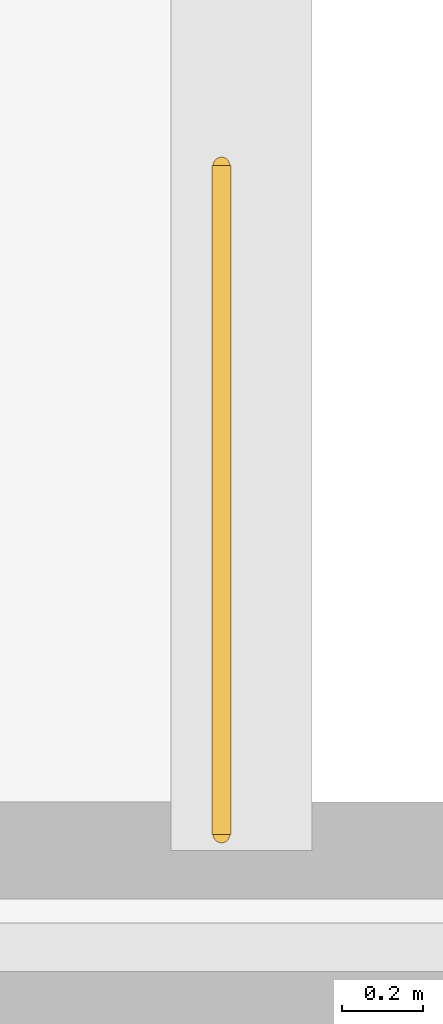
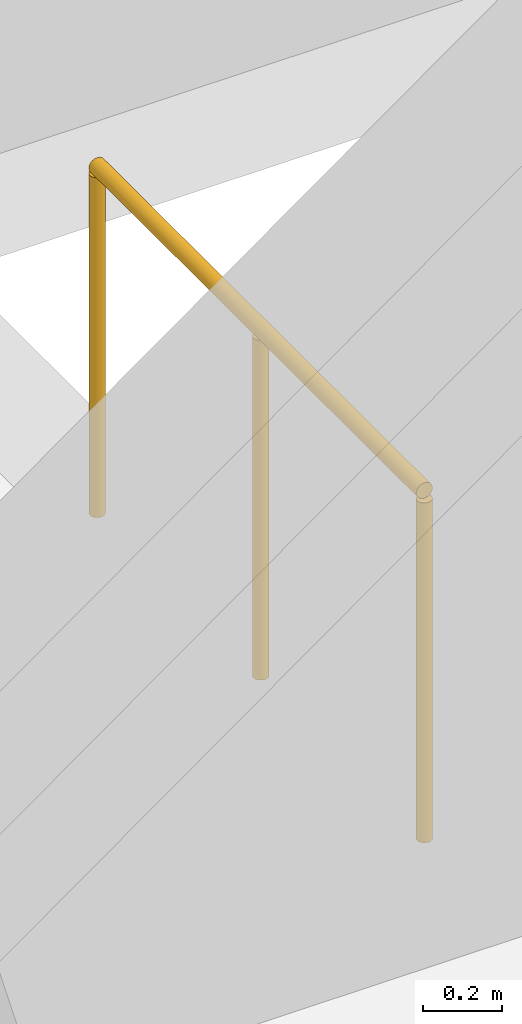
# One storey, part 109 of 119: 1 railing.
"""IFC4 building model written with IfcOpenShell, lengths in metres."""

from ifc_helpers import new_model, si_unit, direction, frame, origin, origin_2d, place, context, subcontext, project, spatial, circle, extrude, material, type_object, element, save


model = new_model("IFC4")

# Units and contexts
model_context = context("Model", 3, precision=1e-05, world=origin(), true_north=direction((0.0, 1.0)))
body_context = subcontext(model_context, "Body", "Model", "MODEL_VIEW")
ifc_project = project(units=[si_unit("LENGTHUNIT", "METRE"), si_unit("AREAUNIT", "SQUARE_METRE"), si_unit("VOLUMEUNIT", "CUBIC_METRE"), si_unit("PLANEANGLEUNIT", "RADIAN"), si_unit("MASSUNIT", "GRAM", prefix="KILO")], contexts=[model_context])

# Site, building, storey
site_placement = place(None, origin())
site = spatial("IfcSite", under=ifc_project, at=site_placement, CompositionType="ELEMENT")
building_placement = place(site_placement, origin())
building = spatial("IfcBuilding", under=site, at=building_placement, Name="Bramfleet General Hospital", CompositionType="ELEMENT")
storey_placement = place(building_placement, frame((0.0, 0.0, 14.39990234375)))
storey = spatial("IfcBuildingStorey", under=building, at=storey_placement, Name="L03", CompositionType="ELEMENT", Elevation=14.39990234375)

# Railing
ifc_material = material(Name="Powder-coated steel stair balustrade", Category="steel")
railing_type = type_object("IfcRailingType", Name="RAIL-ST-GUARD", PredefinedType="GUARDRAIL", material=ifc_material)
railing_placement = place(storey_placement, frame((60.590087890625, 67.6201171875, 0.0)))
element("IfcRailing", 1, at=railing_placement, inside=storey, type_object=railing_type, Name="L03 ST-C13 top well guard 1", PredefinedType="GUARDRAIL", context=body_context, shape_type="SweptSolid", body=[
    extrude(circle(Radius=0.02392578125, at=origin_2d()), frame((0.0, 0.0, 1.076171875), z_axis=(0.0, 1.0, 0.0), x_axis=(-1.0, 0.0, 0.0)), (0.0, 0.0, 1.0), 1.659912109375),
    extrude(circle(Radius=0.02099609375, at=origin_2d()), origin(), (0.0, 0.0, 1.0), 1.052001953125),
    extrude(circle(Radius=0.02099609375, at=origin_2d()), frame((0.0, 0.830078125, 0.0)), (0.0, 0.0, 1.0), 1.052001953125),
    extrude(circle(Radius=0.02099609375, at=origin_2d()), frame((0.0, 1.659912109375, 0.0)), (0.0, 0.0, 1.0), 1.052001953125),
])

save(model, "model.ifc")
